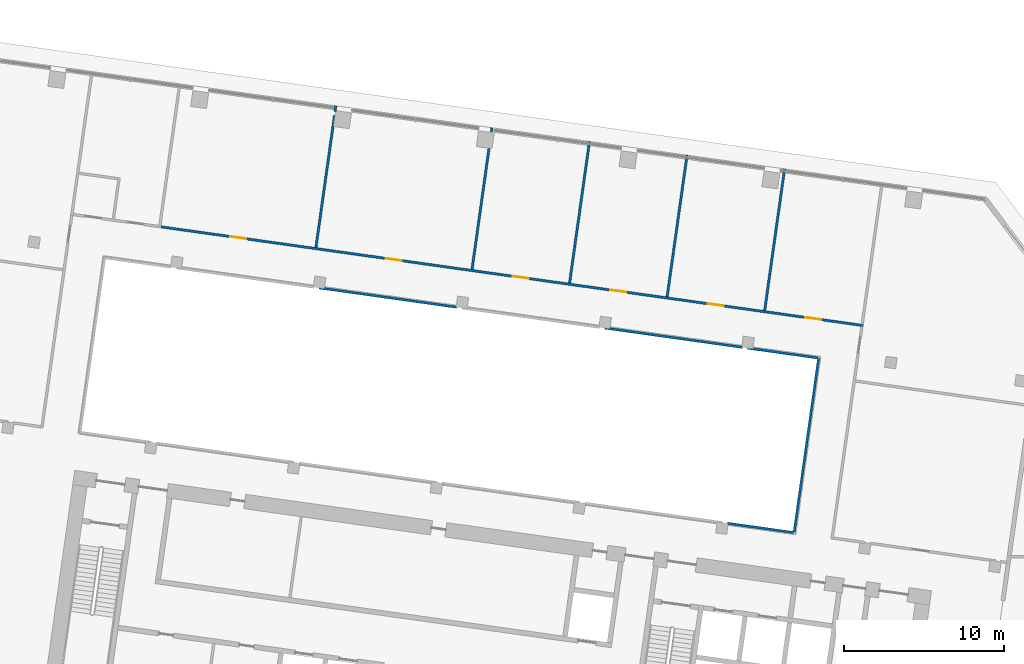
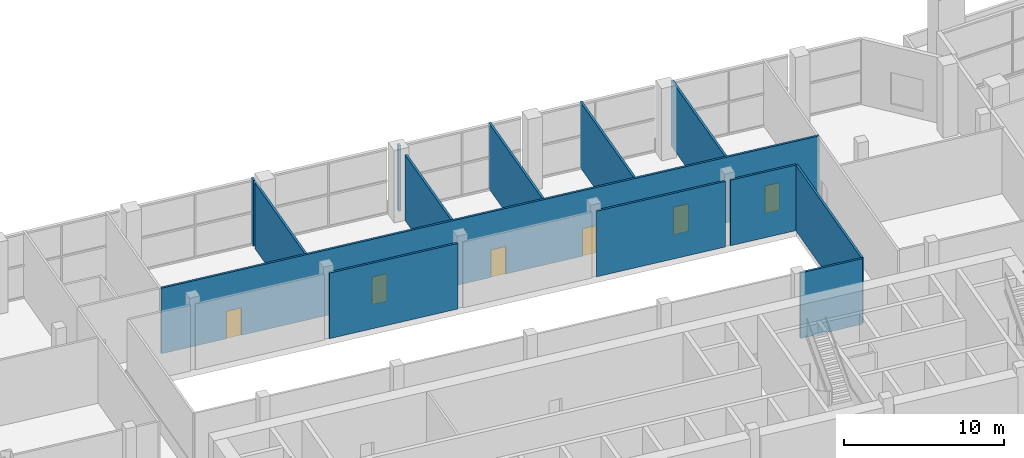
# One storey, part 12 of 23: 13 walls, 6 doors, 6 openings.
"""IFC4 building model written with IfcOpenShell, lengths in metres."""

from ifc_helpers import new_model, si_unit, direction, frame, frame_2d, origin, place, context, subcontext, project, spatial, rectangle, extrude, material, layer, layer_set, type_object, element, fill, save


model = new_model("IFC4")

# Units and contexts
model_context = context("Model", 3, precision=1e-05, world=origin(), true_north=direction((0.0, 1.0)))
body_context = subcontext(model_context, "Body", "Model", "MODEL_VIEW")
ifc_project = project(units=[si_unit("LENGTHUNIT", "METRE"), si_unit("AREAUNIT", "SQUARE_METRE"), si_unit("VOLUMEUNIT", "CUBIC_METRE"), si_unit("PLANEANGLEUNIT", "RADIAN"), si_unit("MASSUNIT", "GRAM", prefix="KILO")], contexts=[model_context])

# Site, building, storey
site_placement = place(None, origin())
site = spatial("IfcSite", under=ifc_project, at=site_placement, CompositionType="ELEMENT")
building_placement = place(site_placement, origin())
building = spatial("IfcBuilding", under=site, at=building_placement, Name="Mirante Cascada Hotel Towers", CompositionType="ELEMENT")
storey_placement = place(building_placement, frame((0.0, 0.0, 23.5)))
storey = spatial("IfcBuildingStorey", under=building, at=storey_placement, Name="L03", CompositionType="ELEMENT", Elevation=23.5)

# Wall, openings, doors
ifc_material_1 = material(Name="Masonry block", Category="masonry")
ifc_layer_1 = layer(ifc_material_1, 0.15)
ifc_layer_set_1 = layer_set([ifc_layer_1], Name="Corridor wall 150 block")
wall_type_1 = type_object("IfcWallType", Name="Corridor wall 150 block", PredefinedType="PARTITIONING", material=ifc_layer_set_1)
wall_1_placement = place(storey_placement, frame((-83.3717, 15.5992, 0.0), z_axis=(0.0, 0.0, 1.0), x_axis=(0.9902681, -0.1391729, 0.0)))
wall_1 = element("IfcWall", 1, at=wall_1_placement, inside=storey, type_object=wall_type_1, Name="Corridor wall T1 L03", PredefinedType="PARTITIONING", context=body_context, shape_type="SweptSolid", body=[
    extrude(rectangle(XDim=44.2766, YDim=0.15, at=frame_2d((22.1383, 0.0))), origin(), (0.0, 0.0, 1.0), 5.0),
])
opening_1_placement = place(wall_1_placement, frame((40.6276, 0.0, 0.0)))
opening_1 = element("IfcOpeningElement", 2, at=opening_1_placement, cuts=wall_1, Name="Opening DP1-L03-05", PredefinedType="OPENING", context=body_context, shape_type="SweptSolid", body=[
    extrude(rectangle(XDim=1.0, YDim=2.1, at=frame_2d((0.5, 1.05))), frame((0.0, 0.075, 0.0), z_axis=(0.0, -1.0, 0.0), x_axis=(1.0, 0.0, 0.0)), (0.0, 0.0, 1.0), 0.15),
])
opening_2_placement = place(wall_1_placement, frame((34.4794, 0.0, 0.0)))
opening_2 = element("IfcOpeningElement", 3, at=opening_2_placement, cuts=wall_1, Name="Opening DP1-L03-06", PredefinedType="OPENING", context=body_context, shape_type="SweptSolid", body=[
    extrude(rectangle(XDim=1.0, YDim=2.1, at=frame_2d((0.5, 1.05))), frame((0.0, 0.075, 0.0), z_axis=(0.0, -1.0, 0.0), x_axis=(1.0, 0.0, 0.0)), (0.0, 0.0, 1.0), 0.15),
])
opening_3_placement = place(wall_1_placement, frame((28.3313, 0.0, 0.0)))
opening_3 = element("IfcOpeningElement", 4, at=opening_3_placement, cuts=wall_1, Name="Opening DP1-L03-07", PredefinedType="OPENING", context=body_context, shape_type="SweptSolid", body=[
    extrude(rectangle(XDim=1.0, YDim=2.1, at=frame_2d((0.5, 1.05))), frame((0.0, 0.075, 0.0), z_axis=(0.0, -1.0, 0.0), x_axis=(1.0, 0.0, 0.0)), (0.0, 0.0, 1.0), 0.15),
])
opening_4_placement = place(wall_1_placement, frame((22.1831, 0.0, 0.0)))
opening_4 = element("IfcOpeningElement", 5, at=opening_4_placement, cuts=wall_1, Name="Opening DP1-L03-08", PredefinedType="OPENING", context=body_context, shape_type="SweptSolid", body=[
    extrude(rectangle(XDim=1.0, YDim=2.1, at=frame_2d((0.5, 1.05))), frame((0.0, 0.075, 0.0), z_axis=(0.0, -1.0, 0.0), x_axis=(1.0, 0.0, 0.0)), (0.0, 0.0, 1.0), 0.15),
])
opening_5_placement = place(wall_1_placement, frame((14.1905, 0.0, 0.0)))
opening_5 = element("IfcOpeningElement", 6, at=opening_5_placement, cuts=wall_1, Name="Opening DP1-L03-09", PredefinedType="OPENING", context=body_context, shape_type="SweptSolid", body=[
    extrude(rectangle(XDim=1.0, YDim=2.1, at=frame_2d((0.5, 1.05))), frame((0.0, 0.075, 0.0), z_axis=(0.0, -1.0, 0.0), x_axis=(1.0, 0.0, 0.0)), (0.0, 0.0, 1.0), 0.15),
])
opening_6_placement = place(wall_1_placement, frame((4.386, 0.0, 0.0)))
opening_6 = element("IfcOpeningElement", 7, at=opening_6_placement, cuts=wall_1, Name="Opening DP1-L03-10", PredefinedType="OPENING", context=body_context, shape_type="SweptSolid", body=[
    extrude(rectangle(XDim=1.0, YDim=2.1, at=frame_2d((0.5, 1.05))), frame((0.0, 0.075, 0.0), z_axis=(0.0, -1.0, 0.0), x_axis=(1.0, 0.0, 0.0)), (0.0, 0.0, 1.0), 0.15),
])
ifc_material_2 = material(Name="Timber door leaf", Category="wood")
door_type = type_object("IfcDoorType", Name="Single door 1000x2100", OperationType="NOTDEFINED", PredefinedType="DOOR", material=ifc_material_2)
door_1_placement = place(opening_1_placement, origin())
door_1 = element("IfcDoor", 8, at=door_1_placement, inside=storey, type_object=door_type, Name="Door DP1-L03-05", OperationType="SINGLE_SWING_LEFT", OverallHeight=2.1, OverallWidth=1.0, PredefinedType="DOOR", context=body_context, shape_type="SweptSolid", body=[
    extrude(rectangle(XDim=1.0, YDim=2.1, at=frame_2d((0.5, 1.05))), frame((0.0, 0.025, 0.0), z_axis=(0.0, -1.0, 0.0), x_axis=(1.0, 0.0, 0.0)), (0.0, 0.0, 1.0), 0.05),
])
fill(opening_1, door_1)
door_2_placement = place(opening_2_placement, origin())
door_2 = element("IfcDoor", 9, at=door_2_placement, inside=storey, type_object=door_type, Name="Door DP1-L03-06", OperationType="SINGLE_SWING_RIGHT", OverallHeight=2.1, OverallWidth=1.0, PredefinedType="DOOR", context=body_context, shape_type="SweptSolid", body=[
    extrude(rectangle(XDim=1.0, YDim=2.1, at=frame_2d((0.5, 1.05))), frame((0.0, 0.025, 0.0), z_axis=(0.0, -1.0, 0.0), x_axis=(1.0, 0.0, 0.0)), (0.0, 0.0, 1.0), 0.05),
])
fill(opening_2, door_2)
door_3_placement = place(opening_3_placement, origin())
door_3 = element("IfcDoor", 10, at=door_3_placement, inside=storey, type_object=door_type, Name="Door DP1-L03-07", OperationType="SINGLE_SWING_LEFT", OverallHeight=2.1, OverallWidth=1.0, PredefinedType="DOOR", context=body_context, shape_type="SweptSolid", body=[
    extrude(rectangle(XDim=1.0, YDim=2.1, at=frame_2d((0.5, 1.05))), frame((0.0, 0.025, 0.0), z_axis=(0.0, -1.0, 0.0), x_axis=(1.0, 0.0, 0.0)), (0.0, 0.0, 1.0), 0.05),
])
fill(opening_3, door_3)
door_4_placement = place(opening_4_placement, origin())
door_4 = element("IfcDoor", 11, at=door_4_placement, inside=storey, type_object=door_type, Name="Door DP1-L03-08", OperationType="SINGLE_SWING_RIGHT", OverallHeight=2.1, OverallWidth=1.0, PredefinedType="DOOR", context=body_context, shape_type="SweptSolid", body=[
    extrude(rectangle(XDim=1.0, YDim=2.1, at=frame_2d((0.5, 1.05))), frame((0.0, 0.025, 0.0), z_axis=(0.0, -1.0, 0.0), x_axis=(1.0, 0.0, 0.0)), (0.0, 0.0, 1.0), 0.05),
])
fill(opening_4, door_4)
door_5_placement = place(opening_5_placement, origin())
door_5 = element("IfcDoor", 12, at=door_5_placement, inside=storey, type_object=door_type, Name="Door DP1-L03-09", OperationType="SINGLE_SWING_LEFT", OverallHeight=2.1, OverallWidth=1.0, PredefinedType="DOOR", context=body_context, shape_type="SweptSolid", body=[
    extrude(rectangle(XDim=1.0, YDim=2.1, at=frame_2d((0.5, 1.05))), frame((0.0, 0.025, 0.0), z_axis=(0.0, -1.0, 0.0), x_axis=(1.0, 0.0, 0.0)), (0.0, 0.0, 1.0), 0.05),
])
fill(opening_5, door_5)
door_6_placement = place(opening_6_placement, frame((1.0, 0.0, 0.0), z_axis=(0.0, 0.0, 1.0), x_axis=(-1.0, 0.0, 0.0)))
door_6 = element("IfcDoor", 13, at=door_6_placement, inside=storey, type_object=door_type, Name="Door DP1-L03-10", OperationType="SINGLE_SWING_RIGHT", OverallHeight=2.1, OverallWidth=1.0, PredefinedType="DOOR", context=body_context, shape_type="SweptSolid", body=[
    extrude(rectangle(XDim=1.0, YDim=2.1, at=frame_2d((0.5, 1.05))), frame((0.0, 0.025, 0.0), z_axis=(0.0, -1.0, 0.0), x_axis=(1.0, 0.0, 0.0)), (0.0, 0.0, 1.0), 0.05),
])
fill(opening_6, door_6)

# Walls
wall_2_placement = place(storey_placement, frame((-43.8376, -3.4584, 0.0), z_axis=(0.0, 0.0, 1.0), x_axis=(0.1391674, 0.9902689, 0.0)))
element("IfcWall", 14, at=wall_2_placement, inside=storey, type_object=wall_type_1, Name="Corridor wall T1 L03", PredefinedType="PARTITIONING", context=body_context, shape_type="SweptSolid", body=[
    extrude(rectangle(XDim=10.9401, YDim=0.15, at=frame_2d((5.47, 0.0))), origin(), (0.0, 0.0, 1.0), 5.0),
])
wall_3_placement = place(storey_placement, frame((-47.9967, -2.9041, 0.0), z_axis=(0.0, 0.0, 1.0), x_axis=(0.9902667, -0.1391827, 0.0)))
element("IfcWall", 15, at=wall_3_placement, inside=storey, type_object=wall_type_1, Name="Corridor wall T1 L03", PredefinedType="PARTITIONING", context=body_context, shape_type="SweptSolid", body=[
    extrude(rectangle(XDim=4.1657, YDim=0.15, at=frame_2d((2.0828, 0.0))), origin(), (0.0, 0.0, 1.0), 5.0),
])
for number, where, z_axis, x_axis, name in (
    (16, (-73.4801, 11.7854, 0.0), (0.0, 0.0, 1.0), (0.9902682, -0.139172, 0.0), "Corridor wall T1 L03"),
    (17, (-55.6553, 9.2803, 0.0), (0.0, 0.0, 1.0), (0.9902682, -0.139172, 0.0), "Corridor wall T1 L03"),
):
    element("IfcWall", number, at=place(storey_placement, frame(where, z_axis=z_axis, x_axis=x_axis)), inside=storey, type_object=wall_type_1, Name=name, PredefinedType="PARTITIONING", context=body_context, shape_type="SweptSolid", body=[
        extrude(rectangle(XDim=8.6713, YDim=0.15, at=frame_2d((4.3356, 0.0))), origin(), (0.0, 0.0, 1.0), 5.0),
    ])
wall_4_placement = place(storey_placement, frame((-46.7429, 8.0277, 0.0), z_axis=(0.0, 0.0, 1.0), x_axis=(0.9902682, -0.1391725, 0.0)))
element("IfcWall", 18, at=wall_4_placement, inside=storey, type_object=wall_type_1, Name="Corridor wall T1 L03", PredefinedType="PARTITIONING", context=body_context, shape_type="SweptSolid", body=[
    extrude(rectangle(XDim=4.4456, YDim=0.15, at=frame_2d((2.2228, 0.0))), origin(), (0.0, 0.0, 1.0), 5.0),
])
ifc_material_3 = material(Name="Masonry block", Category="masonry")
ifc_layer_2 = layer(ifc_material_3, 0.15)
ifc_layer_set_2 = layer_set([ifc_layer_2], Name="Partition 150 block")
wall_type_2 = type_object("IfcWallType", Name="Partition 150 block", PredefinedType="PARTITIONING", material=ifc_layer_set_2)
wall_5_placement = place(storey_placement, frame((-45.6781, 10.3774, 0.0), z_axis=(0.0, 0.0, 1.0), x_axis=(0.13917, 0.9902685, 0.0)))
element("IfcWall", 19, at=wall_5_placement, inside=storey, type_object=wall_type_2, Name="Partition T1 L03", PredefinedType="PARTITIONING", context=body_context, shape_type="SweptSolid", body=[
    extrude(rectangle(XDim=8.9251, YDim=0.15, at=frame_2d((4.4626, 0.0))), origin(), (0.0, 0.0, 1.0), 5.0),
])
wall_6_placement = place(storey_placement, frame((-51.7664, 11.2331, 0.0), z_axis=(0.0, 0.0, 1.0), x_axis=(0.1391716, 0.9902683, 0.0)))
element("IfcWall", 20, at=wall_6_placement, inside=storey, type_object=wall_type_2, Name="Partition T1 L03", PredefinedType="PARTITIONING", context=body_context, shape_type="SweptSolid", body=[
    extrude(rectangle(XDim=8.925, YDim=0.15, at=frame_2d((4.4625, 0.0))), origin(), (0.0, 0.0, 1.0), 5.0),
])
wall_7_placement = place(storey_placement, frame((-57.8548, 12.0887, 0.0), z_axis=(0.0, 0.0, 1.0), x_axis=(0.139181, 0.990267, 0.0)))
element("IfcWall", 21, at=wall_7_placement, inside=storey, type_object=wall_type_2, Name="Partition T1 L03", PredefinedType="PARTITIONING", context=body_context, shape_type="SweptSolid", body=[
    extrude(rectangle(XDim=8.9251, YDim=0.15, at=frame_2d((4.4626, 0.0))), origin(), (0.0, 0.0, 1.0), 5.0),
])
wall_8_placement = place(storey_placement, frame((-63.9431, 12.9444, 0.0), z_axis=(0.0, 0.0, 1.0), x_axis=(0.1391831, 0.9902667, 0.0)))
element("IfcWall", 22, at=wall_8_placement, inside=storey, type_object=wall_type_2, Name="Partition T1 L03", PredefinedType="PARTITIONING", context=body_context, shape_type="SweptSolid", body=[
    extrude(rectangle(XDim=7.6633, YDim=0.15, at=frame_2d((3.8316, 0.0))), origin(), (0.0, 0.0, 1.0), 5.0),
])
wall_9_placement = place(storey_placement, frame((-73.6844, 14.3135, 0.0), z_axis=(0.0, 0.0, 1.0), x_axis=(0.1391795, 0.9902672, 0.0)))
element("IfcWall", 23, at=wall_9_placement, inside=storey, type_object=wall_type_2, Name="Partition T1 L03", PredefinedType="PARTITIONING", context=body_context, shape_type="SweptSolid", body=[
    extrude(rectangle(XDim=8.3008, YDim=0.15, at=frame_2d((4.1504, 0.0))), origin(), (0.0, 0.0, 1.0), 5.0),
])
wall_10_placement = place(storey_placement, frame((-62.736, 21.5331, 0.0), z_axis=(0.0, 0.0, 1.0), x_axis=(0.1393643, 0.9902412, 0.0)))
element("IfcWall", 24, at=wall_10_placement, inside=storey, type_object=wall_type_2, Name="Partition T1 L03", PredefinedType="PARTITIONING", context=body_context, shape_type="SweptSolid", body=[
    extrude(rectangle(XDim=0.2519, YDim=0.15, at=frame_2d((0.126, 0.0))), origin(), (0.0, 0.0, 1.0), 5.0),
])
wall_11_placement = place(storey_placement, frame((-72.4937, 22.7857, 0.0), z_axis=(0.0, 0.0, 1.0), x_axis=(0.1393751, 0.9902397, 0.0)))
element("IfcWall", 25, at=wall_11_placement, inside=storey, type_object=wall_type_2, Name="Partition T1 L03", PredefinedType="PARTITIONING", context=body_context, shape_type="SweptSolid", body=[
    extrude(rectangle(XDim=0.3695, YDim=0.15, at=frame_2d((0.1848, 0.0))), origin(), (0.0, 0.0, 1.0), 5.0),
])

save(model, "model.ifc")
